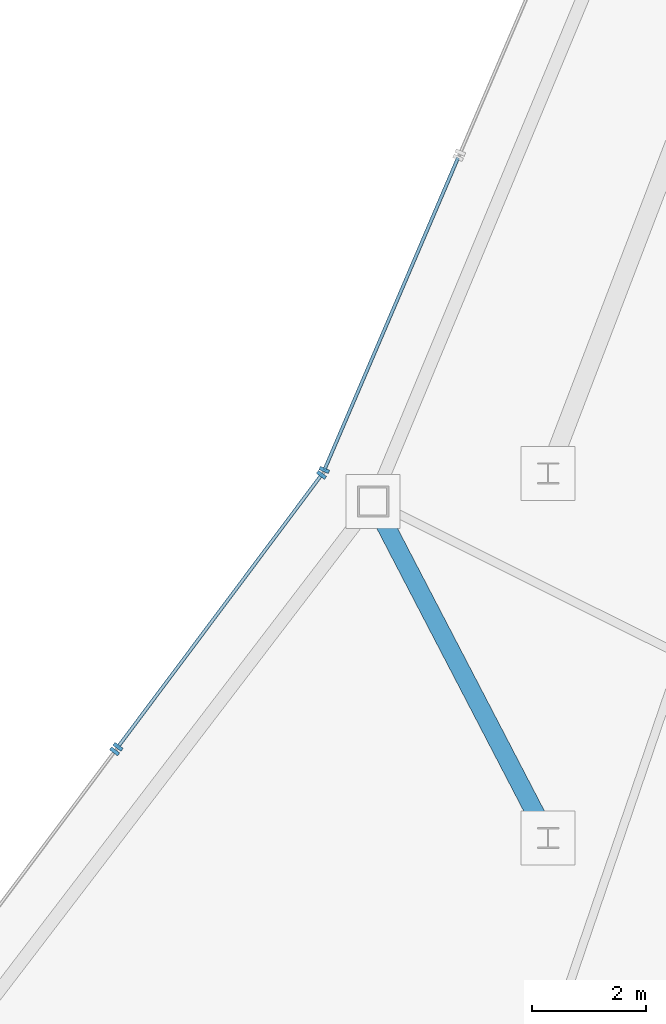
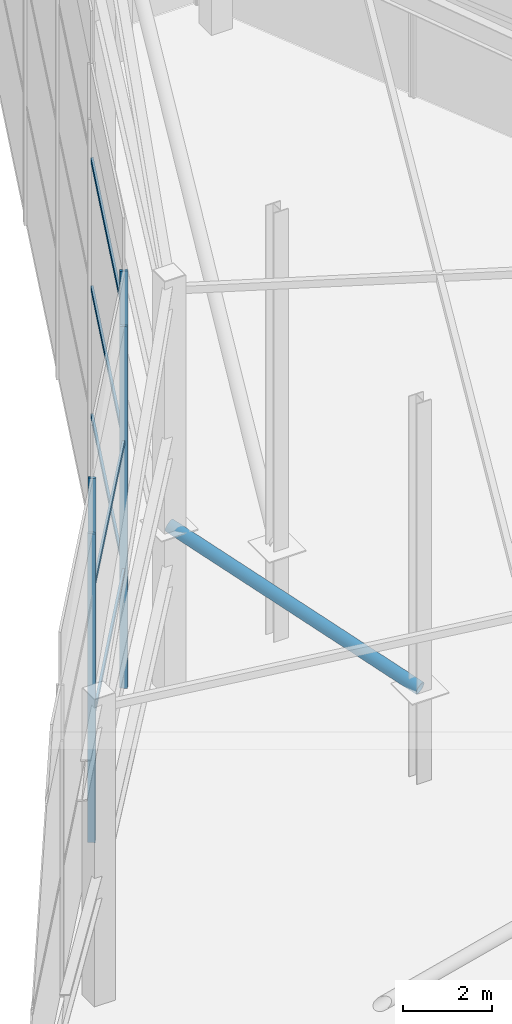
# One storey, part 6 of 17: 10 members, 3 elements without a shape of their own.
"""IFC4 building model written with IfcOpenShell, lengths in metres."""

from ifc_helpers import new_model, si_unit, direction, frame, origin, origin_2d, place, context, subcontext, project, spatial, rectangle, hollow_circle, extrude, source, transform, mapped, material, layer, layer_set, material_profile, profile_set, type_object, type_shapes, element, aggregate, save


model = new_model("IFC4")

# Units and contexts
model_context = context("Model", 3, precision=1e-05, world=origin(), true_north=direction((0.0, 1.0)))
body_context = subcontext(model_context, "Body", "Model", "MODEL_VIEW")
ifc_project = project(units=[si_unit("LENGTHUNIT", "METRE"), si_unit("AREAUNIT", "SQUARE_METRE"), si_unit("VOLUMEUNIT", "CUBIC_METRE"), si_unit("PLANEANGLEUNIT", "RADIAN"), si_unit("MASSUNIT", "GRAM", prefix="KILO")], contexts=[model_context])

# Site, building, storey
site_placement = place(None, origin())
site = spatial("IfcSite", under=ifc_project, at=site_placement, CompositionType="ELEMENT")
building_placement = place(site_placement, origin())
building = spatial("IfcBuilding", under=site, at=building_placement, Name="Varakhsha Concourse Tower", CompositionType="ELEMENT")
storey_placement = place(building_placement, frame((0.0, 0.0, 294.800048828125)))
storey = spatial("IfcBuildingStorey", under=building, at=storey_placement, Name="RF", CompositionType="ELEMENT", Elevation=294.800048828125)

# Member
ifc_material_1 = material(Name="Structural Steel ASTM A500 Grade C", Category="steel")
ifc_material_profile_1 = material_profile(ifc_material_1, hollow_circle(Radius=0.162109375, WallThickness=0.013916015625, at=origin_2d()), Name="CHS 324x14")
ifc_profile_set_1 = profile_set([ifc_material_profile_1], Name="Structural Steel ASTM A500 Grade C")
member_type_1 = type_object("IfcMemberType", Name="MB-CROWN-CHS324", PredefinedType="BRACE", material=ifc_profile_set_1)
shared_shape_1 = source(origin(), body_context, "Body", "SweptSolid", [
    extrude(hollow_circle(Radius=0.162109375, WallThickness=0.013916015625, at=origin_2d()), origin(), (0.0, 0.0, 1.0), 6.937744140625),
])
type_shapes(member_type_1, [shared_shape_1])
member_1_placement = place(storey_placement, frame((31.800048828125, 24.800048828125, 2.449951171875), z_axis=(-0.442687960604, 0.851488122633, 0.281061108215), x_axis=(-0.887253420168, -0.461282308787, 0.0)))
element("IfcMember", 1, at=member_1_placement, inside=storey, type_object=member_type_1, Name="Crown Frame Radial Wind Brace CB06", PredefinedType="BRACE", context=body_context, shape_type="MappedRepresentation", body=[
    mapped(shared_shape_1, transform((0.0, 0.0, 0.0), scale=1.0)),
])

# Curtain wall, members
ifc_material_2 = material(Name="Anodised Bronze Architectural Aluminium AA 6063-T6", Category="aluminium")
ifc_layer = layer(ifc_material_2, 0.219970703125, Name="CW-SYS-07")
ifc_layer_set = layer_set([ifc_layer], Name="Anodised Bronze Architectural Aluminium AA 6063-T6")
curtain_wall_type = type_object("IfcCurtainWallType", Name="CW-SYS-07", PredefinedType="NOTDEFINED", material=ifc_layer_set)
curtain_wall_1_placement = place(storey_placement, origin())
curtain_wall_1 = element("IfcCurtainWall", 2, at=curtain_wall_1_placement, inside=storey, type_object=curtain_wall_type, Name="Slanted Crown Curtain Wall F2-S4", PredefinedType="NOTDEFINED")
ifc_material_profile_2 = material_profile(ifc_material_2, rectangle(XDim=0.06005859375, YDim=0.139892578125, at=origin_2d()), Name="CWT-140X60")
ifc_profile_set_2 = profile_set([ifc_material_profile_2], Name="Anodised Bronze Architectural Aluminium AA 6063-T6")
member_type_2 = type_object("IfcMemberType", Name="CWT-140X60", PredefinedType="USERDEFINED", material=ifc_profile_set_2)
shared_shape_2 = source(origin(), body_context, "Body", "SweptSolid", [
    extrude(rectangle(XDim=0.06005859375, YDim=0.139892578125, at=origin_2d()), origin(), (0.0, 0.0, 1.0), 5.96044921875),
])
member_2_placement = place(storey_placement, frame((27.8720703125, 31.259521484375, 3.199951171875), z_axis=(0.393830314684, 0.919183160875, 0.0), x_axis=(-0.919183160875, 0.393830314684, 0.0)))
member_2 = element("IfcMember", 3, at=member_2_placement, type_object=member_type_2, Name="CW-RF-F2S4 Transom 01", ObjectType="TRANSOM", PredefinedType="USERDEFINED", context=body_context, shape_type="MappedRepresentation", body=[
    mapped(shared_shape_2, transform((0.0, 0.0, 0.0), scale=1.0)),
])
member_3_placement = place(storey_placement, frame((27.8720703125, 31.259521484375, 6.699951171875), z_axis=(0.393830314684, 0.919183160875, 0.0), x_axis=(-0.919183160875, 0.393830314684, 0.0)))
member_3 = element("IfcMember", 4, at=member_3_placement, type_object=member_type_2, Name="CW-RF-F2S4 Transom 02", ObjectType="TRANSOM", PredefinedType="USERDEFINED", context=body_context, shape_type="MappedRepresentation", body=[
    mapped(shared_shape_2, transform((0.0, 0.0, 0.0), scale=1.0)),
])
member_4_placement = place(storey_placement, frame((27.8720703125, 31.259521484375, 10.199951171875), z_axis=(0.393830314684, 0.919183160875, 0.0), x_axis=(-0.919183160875, 0.393830314684, 0.0)))
member_4 = element("IfcMember", 5, at=member_4_placement, type_object=member_type_2, Name="CW-RF-F2S4 Transom 03", ObjectType="TRANSOM", PredefinedType="USERDEFINED", context=body_context, shape_type="MappedRepresentation", body=[
    mapped(shared_shape_2, transform((0.0, 0.0, 0.0), scale=1.0)),
])
ifc_material_profile_3 = material_profile(ifc_material_2, rectangle(XDim=0.06494140625, YDim=0.179931640625, at=origin_2d()), Name="CWM-180X65")
ifc_profile_set_3 = profile_set([ifc_material_profile_3], Name="Anodised Bronze Architectural Aluminium AA 6063-T6")
member_type_3 = type_object("IfcMemberType", Name="CWM-180X65", PredefinedType="MULLION", material=ifc_profile_set_3)
shared_shape_3 = source(origin(), body_context, "Body", "SweptSolid", [
    extrude(rectangle(XDim=0.06494140625, YDim=0.179931640625, at=origin_2d()), origin(), (0.0, 0.0, 1.0), 11.32666015625),
])
member_5_placement = place(storey_placement, frame((27.8720703125, 31.259521484375, 0.0), z_axis=(0.0, 0.0, 1.0), x_axis=(0.393840843001, 0.919178649874, 0.0)))
member_5 = element("IfcMember", 6, at=member_5_placement, type_object=member_type_3, Name="CW-RF-F2S4 Mullion 00", PredefinedType="MULLION", context=body_context, shape_type="MappedRepresentation", body=[
    mapped(shared_shape_3, transform((0.0, 0.0, 0.0), scale=1.0)),
])
aggregate(curtain_wall_1, [member_5, member_2, member_3, member_4])

curtain_wall_2_placement = place(storey_placement, origin())
curtain_wall_2 = element("IfcCurtainWall", 7, at=curtain_wall_2_placement, inside=storey, type_object=curtain_wall_type, Name="Slanted Crown Curtain Wall F3-S1", PredefinedType="NOTDEFINED")
shared_shape_4 = source(origin(), body_context, "Body", "SweptSolid", [
    extrude(rectangle(XDim=0.06494140625, YDim=0.179931640625, at=origin_2d()), origin(), (0.0, 0.0, 1.0), 9.8818359375),
])
member_6_placement = place(storey_placement, frame((24.251220703125, 26.40087890625, 0.0), z_axis=(0.0, 0.0, 1.0), x_axis=(0.599092075779, 0.800680138844, 0.0)))
member_6 = element("IfcMember", 8, at=member_6_placement, type_object=member_type_3, Name="CW-RF-F3S1 Mullion 00", PredefinedType="MULLION", context=body_context, shape_type="MappedRepresentation", body=[
    mapped(shared_shape_4, transform((0.0, 0.0, 0.0), scale=1.0)),
])
member_7_placement = place(storey_placement, frame((27.822265625, 31.173583984375, 0.0), z_axis=(0.0, 0.0, 1.0), x_axis=(0.599092075779, 0.800680138844, 0.0)))
member_7 = element("IfcMember", 9, at=member_7_placement, type_object=member_type_3, Name="CW-RF-F3S1 Mullion 01", PredefinedType="MULLION", context=body_context, shape_type="MappedRepresentation", body=[
    mapped(shared_shape_4, transform((0.0, 0.0, 0.0), scale=1.0)),
])
shared_shape_5 = source(origin(), body_context, "Body", "SweptSolid", [
    extrude(rectangle(XDim=0.06005859375, YDim=0.139892578125, at=origin_2d()), origin(), (0.0, 0.0, 1.0), 5.960693359375),
])
type_shapes(member_type_2, [shared_shape_2, shared_shape_5])
member_8_placement = place(storey_placement, frame((24.251220703125, 26.40087890625, 3.199951171875), z_axis=(0.599088711153, 0.800682656343, 0.0), x_axis=(-0.800682656343, 0.599088711153, 0.0)))
member_8 = element("IfcMember", 10, at=member_8_placement, type_object=member_type_2, Name="CW-RF-F3S1 Transom 01", ObjectType="TRANSOM", PredefinedType="USERDEFINED", context=body_context, shape_type="MappedRepresentation", body=[
    mapped(shared_shape_5, transform((0.0, 0.0, 0.0), scale=1.0)),
])
member_9_placement = place(storey_placement, frame((24.251220703125, 26.40087890625, 6.699951171875), z_axis=(0.599088711153, 0.800682656343, 0.0), x_axis=(-0.800682656343, 0.599088711153, 0.0)))
member_9 = element("IfcMember", 11, at=member_9_placement, type_object=member_type_2, Name="CW-RF-F3S1 Transom 02", ObjectType="TRANSOM", PredefinedType="USERDEFINED", context=body_context, shape_type="MappedRepresentation", body=[
    mapped(shared_shape_5, transform((0.0, 0.0, 0.0), scale=1.0)),
])
aggregate(curtain_wall_2, [member_6, member_7, member_8, member_9])

# Curtain wall, member
curtain_wall_3_placement = place(storey_placement, origin())
curtain_wall_3 = element("IfcCurtainWall", 12, at=curtain_wall_3_placement, inside=storey, type_object=curtain_wall_type, Name="Slanted Crown Curtain Wall F3-S2", PredefinedType="NOTDEFINED")
shared_shape_6 = source(origin(), body_context, "Body", "SweptSolid", [
    extrude(rectangle(XDim=0.06494140625, YDim=0.179931640625, at=origin_2d()), origin(), (0.0, 0.0, 1.0), 8.43701171875),
])
type_shapes(member_type_3, [shared_shape_3, shared_shape_4, shared_shape_6])
member_10_placement = place(storey_placement, frame((24.19140625, 26.32080078125, 0.0), z_axis=(0.0, 0.0, 1.0), x_axis=(0.599100460449, 0.800673865122, 0.0)))
member_10 = element("IfcMember", 13, at=member_10_placement, type_object=member_type_3, Name="CW-RF-F3S2 Mullion 01", PredefinedType="MULLION", context=body_context, shape_type="MappedRepresentation", body=[
    mapped(shared_shape_6, transform((0.0, 0.0, 0.0), scale=1.0)),
])
aggregate(curtain_wall_3, [member_10])

save(model, "model.ifc")
